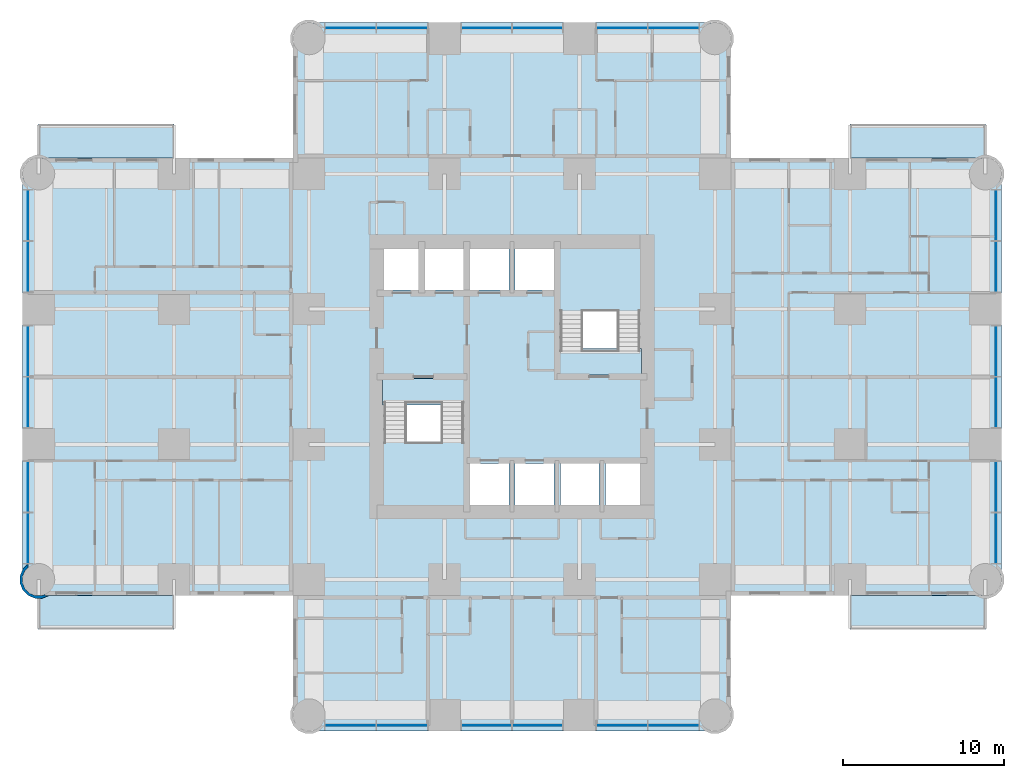
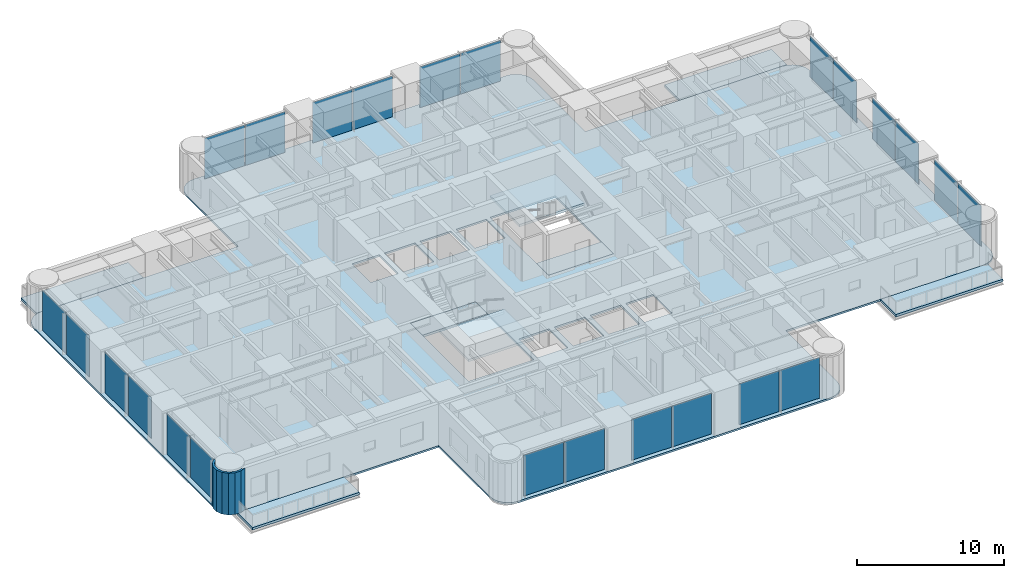
# One storey, part 5 of 14: 24 plates, 9 slabs, 1 wall, 6 elements without a shape of their own.
"""IFC4 building model written with IfcOpenShell, lengths in metres."""

from ifc_helpers import new_model, si_unit, direction, frame, origin, origin_2d, place, context, subcontext, project, spatial, polyline, rectangle, outline, extrude, material, layer, layer_set, type_object, element, aggregate, save


model = new_model("IFC4")

# Units and contexts
model_context = context("Model", 3, precision=1e-05, world=origin(), true_north=direction((0.0, 1.0)))
body_context = subcontext(model_context, "Body", "Model", "MODEL_VIEW")
ifc_project = project(units=[si_unit("LENGTHUNIT", "METRE"), si_unit("AREAUNIT", "SQUARE_METRE"), si_unit("VOLUMEUNIT", "CUBIC_METRE"), si_unit("PLANEANGLEUNIT", "RADIAN"), si_unit("MASSUNIT", "GRAM", prefix="KILO")], contexts=[model_context])

# Site, building, storey
site_placement = place(None, origin())
site = spatial("IfcSite", under=ifc_project, at=site_placement, CompositionType="ELEMENT")
building_placement = place(site_placement, origin())
building = spatial("IfcBuilding", under=site, at=building_placement, Name="Torre Alcanfor", CompositionType="ELEMENT")
storey_placement = place(building_placement, frame((0.0, 0.0, 112.5)))
storey = spatial("IfcBuildingStorey", under=building, at=storey_placement, Name="L28", CompositionType="ELEMENT", Elevation=112.5)

# Slabs
ifc_material_1 = material(Name="Concrete f'c 35 MPa", Category="concrete")
ifc_layer_1 = layer(ifc_material_1, 0.199951171875)
ifc_layer_set_1 = layer_set([ifc_layer_1], Name="Balcony slab 200")
slab_type_1 = type_object("IfcSlabType", Name="Balcony slab 200", PredefinedType="FLOOR", material=ifc_layer_set_1)
slab_1_placement = place(storey_placement, frame((0.0, 0.0, -0.199951171875)))
element("IfcSlab", 1, at=slab_1_placement, inside=storey, type_object=slab_type_1, Name="Balcony L28-E1", PredefinedType="FLOOR", context=body_context, shape_type="SweptSolid", body=[
    extrude(outline(polyline([(50.39990234375, 43.0), (58.800048828125, 43.0), (58.800048828125, 45.10009765625), (50.39990234375, 45.10009765625), (50.39990234375, 43.0)])), origin(), (0.0, 0.0, 1.0), 0.199951171875),
])
slab_2_placement = place(storey_placement, frame((0.0, 0.0, -0.199951171875)))
element("IfcSlab", 2, at=slab_2_placement, inside=storey, type_object=slab_type_1, Name="Balcony L28-E2", PredefinedType="FLOOR", context=body_context, shape_type="SweptSolid", body=[
    extrude(outline(polyline([(50.39990234375, 13.699951171875), (58.800048828125, 13.699951171875), (58.800048828125, 15.800048828125), (50.39990234375, 15.800048828125), (50.39990234375, 13.699951171875)])), origin(), (0.0, 0.0, 1.0), 0.199951171875),
])
slab_3_placement = place(storey_placement, frame((0.0, 0.0, -0.199951171875)))
element("IfcSlab", 3, at=slab_3_placement, inside=storey, type_object=slab_type_1, Name="Balcony L28-W1", PredefinedType="FLOOR", context=body_context, shape_type="SweptSolid", body=[
    extrude(outline(polyline([(8.39990234375, 15.800048828125), (0.0, 15.800048828125), (0.0, 13.699951171875), (8.39990234375, 13.699951171875), (8.39990234375, 15.800048828125)])), origin(), (0.0, 0.0, 1.0), 0.199951171875),
])
slab_4_placement = place(storey_placement, frame((0.0, 0.0, -0.199951171875)))
element("IfcSlab", 4, at=slab_4_placement, inside=storey, type_object=slab_type_1, Name="Balcony L28-W2", PredefinedType="FLOOR", context=body_context, shape_type="SweptSolid", body=[
    extrude(outline(polyline([(8.39990234375, 45.10009765625), (0.0, 45.10009765625), (0.0, 43.0), (8.39990234375, 43.0), (8.39990234375, 45.10009765625)])), origin(), (0.0, 0.0, 1.0), 0.199951171875),
])

# Curtain wall, plates
ifc_material_2 = material(Name="Aluminium and glass", Category="aluminium")
curtain_wall_type = type_object("IfcCurtainWallType", Name="CW-A unitised apartment glazing with vertical FIN", PredefinedType="NOTDEFINED", material=ifc_material_2)
curtain_wall_1_placement = place(storey_placement, origin())
curtain_wall_1 = element("IfcCurtainWall", 5, at=curtain_wall_1_placement, inside=storey, type_object=curtain_wall_type, Name="Curtain wall CW-A L28 2", PredefinedType="NOTDEFINED")
ifc_material_3 = material(Name="Glass", Category="glass")
ifc_layer_2 = layer(ifc_material_3, 0.028076171875)
ifc_layer_set_2 = layer_set([ifc_layer_2], Name="CW-A clear double glazed unit")
plate_type = type_object("IfcPlateType", Name="CW-A clear double glazed unit", PredefinedType="CURTAIN_PANEL", material=ifc_layer_set_2)
plate_1_placement = place(storey_placement, frame((-0.64990234375, 39.428466796875, 0.0), z_axis=(0.0, 0.0, 1.0), x_axis=(0.0, -1.0, 0.0)))
plate_1 = element("IfcPlate", 6, at=plate_1_placement, type_object=plate_type, Name="CW-A panel 1.1.1", PredefinedType="CURTAIN_PANEL", context=body_context, shape_type="SweptSolid", body=[
    extrude(rectangle(XDim=3.12890625, YDim=0.028076171875, at=origin_2d()), origin(), (0.0, 0.0, 1.0), 3.385009765625),
])
plate_2_placement = place(storey_placement, frame((-0.64990234375, 36.234619140625, 0.0), z_axis=(0.0, 0.0, 1.0), x_axis=(0.0, -1.0, 0.0)))
plate_2 = element("IfcPlate", 7, at=plate_2_placement, type_object=plate_type, Name="CW-A panel 1.2.1", PredefinedType="CURTAIN_PANEL", context=body_context, shape_type="SweptSolid", body=[
    extrude(rectangle(XDim=3.12890625, YDim=0.028076171875, at=origin_2d()), origin(), (0.0, 0.0, 1.0), 3.385009765625),
])
plate_3_placement = place(storey_placement, frame((-0.64990234375, 30.981201171875, 0.0), z_axis=(0.0, 0.0, 1.0), x_axis=(0.0, -1.0, 0.0)))
plate_3 = element("IfcPlate", 8, at=plate_3_placement, type_object=plate_type, Name="CW-A panel 2.1.1", PredefinedType="CURTAIN_PANEL", context=body_context, shape_type="SweptSolid", body=[
    extrude(rectangle(XDim=3.097412109375, YDim=0.028076171875, at=origin_2d()), origin(), (0.0, 0.0, 1.0), 3.385009765625),
])
plate_4_placement = place(storey_placement, frame((-0.64990234375, 27.81884765625, 0.0), z_axis=(0.0, 0.0, 1.0), x_axis=(0.0, -1.0, 0.0)))
plate_4 = element("IfcPlate", 9, at=plate_4_placement, type_object=plate_type, Name="CW-A panel 2.2.1", PredefinedType="CURTAIN_PANEL", context=body_context, shape_type="SweptSolid", body=[
    extrude(rectangle(XDim=3.097412109375, YDim=0.028076171875, at=origin_2d()), origin(), (0.0, 0.0, 1.0), 3.385009765625),
])
plate_5_placement = place(storey_placement, frame((-0.64990234375, 22.5654296875, 0.0), z_axis=(0.0, 0.0, 1.0), x_axis=(0.0, -1.0, 0.0)))
plate_5 = element("IfcPlate", 10, at=plate_5_placement, type_object=plate_type, Name="CW-A panel 3.1.1", PredefinedType="CURTAIN_PANEL", context=body_context, shape_type="SweptSolid", body=[
    extrude(rectangle(XDim=3.12890625, YDim=0.028076171875, at=origin_2d()), origin(), (0.0, 0.0, 1.0), 3.385009765625),
])
plate_6_placement = place(storey_placement, frame((-0.64990234375, 19.37158203125, 0.0), z_axis=(0.0, 0.0, 1.0), x_axis=(0.0, -1.0, 0.0)))
plate_6 = element("IfcPlate", 11, at=plate_6_placement, type_object=plate_type, Name="CW-A panel 3.2.1", PredefinedType="CURTAIN_PANEL", context=body_context, shape_type="SweptSolid", body=[
    extrude(rectangle(XDim=3.12890625, YDim=0.028076171875, at=origin_2d()), origin(), (0.0, 0.0, 1.0), 3.385009765625),
])
aggregate(curtain_wall_1, [plate_1, plate_2, plate_3, plate_4, plate_5, plate_6])

curtain_wall_2_placement = place(storey_placement, origin())
curtain_wall_2 = element("IfcCurtainWall", 12, at=curtain_wall_2_placement, inside=storey, type_object=curtain_wall_type, Name="Curtain wall CW-A L28 5", PredefinedType="NOTDEFINED")
plate_7_placement = place(storey_placement, frame((19.37158203125, 7.75, 0.0), z_axis=(0.0, 0.0, 1.0), x_axis=(1.0, 0.0, 0.0)))
plate_7 = element("IfcPlate", 13, at=plate_7_placement, type_object=plate_type, Name="CW-A panel 1.1.1", PredefinedType="CURTAIN_PANEL", context=body_context, shape_type="SweptSolid", body=[
    extrude(rectangle(XDim=3.12890625, YDim=0.028076171875, at=origin_2d()), origin(), (0.0, 0.0, 1.0), 3.385009765625),
])
plate_8_placement = place(storey_placement, frame((22.5654296875, 7.75, 0.0), z_axis=(0.0, 0.0, 1.0), x_axis=(1.0, 0.0, 0.0)))
plate_8 = element("IfcPlate", 14, at=plate_8_placement, type_object=plate_type, Name="CW-A panel 1.2.1", PredefinedType="CURTAIN_PANEL", context=body_context, shape_type="SweptSolid", body=[
    extrude(rectangle(XDim=3.12890625, YDim=0.028076171875, at=origin_2d()), origin(), (0.0, 0.0, 1.0), 3.385009765625),
])
plate_9_placement = place(storey_placement, frame((27.81884765625, 7.75, 0.0), z_axis=(0.0, 0.0, 1.0), x_axis=(1.0, 0.0, 0.0)))
plate_9 = element("IfcPlate", 15, at=plate_9_placement, type_object=plate_type, Name="CW-A panel 2.1.1", PredefinedType="CURTAIN_PANEL", context=body_context, shape_type="SweptSolid", body=[
    extrude(rectangle(XDim=3.097412109375, YDim=0.028076171875, at=origin_2d()), origin(), (0.0, 0.0, 1.0), 3.385009765625),
])
plate_10_placement = place(storey_placement, frame((30.981201171875, 7.75, 0.0), z_axis=(0.0, 0.0, 1.0), x_axis=(1.0, 0.0, 0.0)))
plate_10 = element("IfcPlate", 16, at=plate_10_placement, type_object=plate_type, Name="CW-A panel 2.2.1", PredefinedType="CURTAIN_PANEL", context=body_context, shape_type="SweptSolid", body=[
    extrude(rectangle(XDim=3.097412109375, YDim=0.028076171875, at=origin_2d()), origin(), (0.0, 0.0, 1.0), 3.385009765625),
])
plate_11_placement = place(storey_placement, frame((36.234619140625, 7.75, 0.0), z_axis=(0.0, 0.0, 1.0), x_axis=(1.0, 0.0, 0.0)))
plate_11 = element("IfcPlate", 17, at=plate_11_placement, type_object=plate_type, Name="CW-A panel 3.1.1", PredefinedType="CURTAIN_PANEL", context=body_context, shape_type="SweptSolid", body=[
    extrude(rectangle(XDim=3.12890625, YDim=0.028076171875, at=origin_2d()), origin(), (0.0, 0.0, 1.0), 3.385009765625),
])
plate_12_placement = place(storey_placement, frame((39.428466796875, 7.75, 0.0), z_axis=(0.0, 0.0, 1.0), x_axis=(1.0, 0.0, 0.0)))
plate_12 = element("IfcPlate", 18, at=plate_12_placement, type_object=plate_type, Name="CW-A panel 3.2.1", PredefinedType="CURTAIN_PANEL", context=body_context, shape_type="SweptSolid", body=[
    extrude(rectangle(XDim=3.12890625, YDim=0.028076171875, at=origin_2d()), origin(), (0.0, 0.0, 1.0), 3.385009765625),
])
aggregate(curtain_wall_2, [plate_7, plate_8, plate_9, plate_10, plate_11, plate_12])

curtain_wall_3_placement = place(storey_placement, origin())
curtain_wall_3 = element("IfcCurtainWall", 19, at=curtain_wall_3_placement, inside=storey, type_object=curtain_wall_type, Name="Curtain wall CW-A L28 8", PredefinedType="NOTDEFINED")
plate_13_placement = place(storey_placement, frame((59.449951171875, 19.37158203125, 0.0), z_axis=(0.0, 0.0, 1.0), x_axis=(0.0, 1.0, 0.0)))
plate_13 = element("IfcPlate", 20, at=plate_13_placement, type_object=plate_type, Name="CW-A panel 1.1.1", PredefinedType="CURTAIN_PANEL", context=body_context, shape_type="SweptSolid", body=[
    extrude(rectangle(XDim=3.12890625, YDim=0.028076171875, at=origin_2d()), origin(), (0.0, 0.0, 1.0), 3.385009765625),
])
plate_14_placement = place(storey_placement, frame((59.449951171875, 22.5654296875, 0.0), z_axis=(0.0, 0.0, 1.0), x_axis=(0.0, 1.0, 0.0)))
plate_14 = element("IfcPlate", 21, at=plate_14_placement, type_object=plate_type, Name="CW-A panel 1.2.1", PredefinedType="CURTAIN_PANEL", context=body_context, shape_type="SweptSolid", body=[
    extrude(rectangle(XDim=3.12890625, YDim=0.028076171875, at=origin_2d()), origin(), (0.0, 0.0, 1.0), 3.385009765625),
])
plate_15_placement = place(storey_placement, frame((59.449951171875, 27.81884765625, 0.0), z_axis=(0.0, 0.0, 1.0), x_axis=(0.0, 1.0, 0.0)))
plate_15 = element("IfcPlate", 22, at=plate_15_placement, type_object=plate_type, Name="CW-A panel 2.1.1", PredefinedType="CURTAIN_PANEL", context=body_context, shape_type="SweptSolid", body=[
    extrude(rectangle(XDim=3.097412109375, YDim=0.028076171875, at=origin_2d()), origin(), (0.0, 0.0, 1.0), 3.385009765625),
])
plate_16_placement = place(storey_placement, frame((59.449951171875, 30.981201171875, 0.0), z_axis=(0.0, 0.0, 1.0), x_axis=(0.0, 1.0, 0.0)))
plate_16 = element("IfcPlate", 23, at=plate_16_placement, type_object=plate_type, Name="CW-A panel 2.2.1", PredefinedType="CURTAIN_PANEL", context=body_context, shape_type="SweptSolid", body=[
    extrude(rectangle(XDim=3.097412109375, YDim=0.028076171875, at=origin_2d()), origin(), (0.0, 0.0, 1.0), 3.385009765625),
])
plate_17_placement = place(storey_placement, frame((59.449951171875, 36.234619140625, 0.0), z_axis=(0.0, 0.0, 1.0), x_axis=(0.0, 1.0, 0.0)))
plate_17 = element("IfcPlate", 24, at=plate_17_placement, type_object=plate_type, Name="CW-A panel 3.1.1", PredefinedType="CURTAIN_PANEL", context=body_context, shape_type="SweptSolid", body=[
    extrude(rectangle(XDim=3.12890625, YDim=0.028076171875, at=origin_2d()), origin(), (0.0, 0.0, 1.0), 3.385009765625),
])
plate_18_placement = place(storey_placement, frame((59.449951171875, 39.428466796875, 0.0), z_axis=(0.0, 0.0, 1.0), x_axis=(0.0, 1.0, 0.0)))
plate_18 = element("IfcPlate", 25, at=plate_18_placement, type_object=plate_type, Name="CW-A panel 3.2.1", PredefinedType="CURTAIN_PANEL", context=body_context, shape_type="SweptSolid", body=[
    extrude(rectangle(XDim=3.12890625, YDim=0.028076171875, at=origin_2d()), origin(), (0.0, 0.0, 1.0), 3.385009765625),
])
aggregate(curtain_wall_3, [plate_13, plate_14, plate_15, plate_16, plate_17, plate_18])

curtain_wall_4_placement = place(storey_placement, origin())
curtain_wall_4 = element("IfcCurtainWall", 26, at=curtain_wall_4_placement, inside=storey, type_object=curtain_wall_type, Name="Curtain wall CW-A L28 11", PredefinedType="NOTDEFINED")
plate_19_placement = place(storey_placement, frame((39.428466796875, 51.050048828125, 0.0), z_axis=(0.0, 0.0, 1.0), x_axis=(-1.0, 0.0, 0.0)))
plate_19 = element("IfcPlate", 27, at=plate_19_placement, type_object=plate_type, Name="CW-A panel 1.1.1", PredefinedType="CURTAIN_PANEL", context=body_context, shape_type="SweptSolid", body=[
    extrude(rectangle(XDim=3.12890625, YDim=0.028076171875, at=origin_2d()), origin(), (0.0, 0.0, 1.0), 3.385009765625),
])
plate_20_placement = place(storey_placement, frame((36.234619140625, 51.050048828125, 0.0), z_axis=(0.0, 0.0, 1.0), x_axis=(-1.0, 0.0, 0.0)))
plate_20 = element("IfcPlate", 28, at=plate_20_placement, type_object=plate_type, Name="CW-A panel 1.2.1", PredefinedType="CURTAIN_PANEL", context=body_context, shape_type="SweptSolid", body=[
    extrude(rectangle(XDim=3.12890625, YDim=0.028076171875, at=origin_2d()), origin(), (0.0, 0.0, 1.0), 3.385009765625),
])
plate_21_placement = place(storey_placement, frame((30.981201171875, 51.050048828125, 0.0), z_axis=(0.0, 0.0, 1.0), x_axis=(-1.0, 0.0, 0.0)))
plate_21 = element("IfcPlate", 29, at=plate_21_placement, type_object=plate_type, Name="CW-A panel 2.1.1", PredefinedType="CURTAIN_PANEL", context=body_context, shape_type="SweptSolid", body=[
    extrude(rectangle(XDim=3.097412109375, YDim=0.028076171875, at=origin_2d()), origin(), (0.0, 0.0, 1.0), 3.385009765625),
])
plate_22_placement = place(storey_placement, frame((27.81884765625, 51.050048828125, 0.0), z_axis=(0.0, 0.0, 1.0), x_axis=(-1.0, 0.0, 0.0)))
plate_22 = element("IfcPlate", 30, at=plate_22_placement, type_object=plate_type, Name="CW-A panel 2.2.1", PredefinedType="CURTAIN_PANEL", context=body_context, shape_type="SweptSolid", body=[
    extrude(rectangle(XDim=3.097412109375, YDim=0.028076171875, at=origin_2d()), origin(), (0.0, 0.0, 1.0), 3.385009765625),
])
plate_23_placement = place(storey_placement, frame((22.5654296875, 51.050048828125, 0.0), z_axis=(0.0, 0.0, 1.0), x_axis=(-1.0, 0.0, 0.0)))
plate_23 = element("IfcPlate", 31, at=plate_23_placement, type_object=plate_type, Name="CW-A panel 3.1.1", PredefinedType="CURTAIN_PANEL", context=body_context, shape_type="SweptSolid", body=[
    extrude(rectangle(XDim=3.12890625, YDim=0.028076171875, at=origin_2d()), origin(), (0.0, 0.0, 1.0), 3.385009765625),
])
plate_24_placement = place(storey_placement, frame((19.37158203125, 51.050048828125, 0.0), z_axis=(0.0, 0.0, 1.0), x_axis=(-1.0, 0.0, 0.0)))
plate_24 = element("IfcPlate", 32, at=plate_24_placement, type_object=plate_type, Name="CW-A panel 3.2.1", PredefinedType="CURTAIN_PANEL", context=body_context, shape_type="SweptSolid", body=[
    extrude(rectangle(XDim=3.12890625, YDim=0.028076171875, at=origin_2d()), origin(), (0.0, 0.0, 1.0), 3.385009765625),
])
aggregate(curtain_wall_4, [plate_19, plate_20, plate_21, plate_22, plate_23, plate_24])

# Slab
ifc_material_4 = material(Name="Concrete f'c 35 MPa", Category="concrete")
ifc_layer_3 = layer(ifc_material_4, 0.14990234375)
ifc_layer_set_3 = layer_set([ifc_layer_3], Name="Composite floor 150 on metal deck")
slab_type_2 = type_object("IfcSlabType", Name="Composite floor 150 on metal deck", PredefinedType="FLOOR", material=ifc_layer_set_3)
slab_5_placement = place(storey_placement, frame((0.0, 0.0, -0.14990234375)))
element("IfcSlab", 33, at=slab_5_placement, inside=storey, type_object=slab_type_2, Name="Floor slab L28", PredefinedType="FLOOR", context=body_context, shape_type="SweptSolid", body=[
    extrude(outline(polyline([(15.800048828125, 43.0), (0.39990234375, 43.0), (0.03759765625, 42.952392578125), (-0.300048828125, 42.8125), (-0.58984375, 42.58984375), (-0.8125, 42.300048828125), (-0.952392578125, 41.96240234375), (-1.0, 41.60009765625), (-1.0, 17.199951171875), (-0.952392578125, 16.837646484375), (-0.8125, 16.5), (-0.58984375, 16.210205078125), (-0.300048828125, 15.987548828125), (0.03759765625, 15.84765625), (0.39990234375, 15.800048828125), (15.800048828125, 15.800048828125), (15.800048828125, 8.800048828125), (15.84765625, 8.437744140625), (15.987548828125, 8.10009765625), (16.210205078125, 7.81005859375), (16.5, 7.587646484375), (16.837646484375, 7.44775390625), (17.199951171875, 7.39990234375), (41.60009765625, 7.39990234375), (41.96240234375, 7.44775390625), (42.300048828125, 7.587646484375), (42.58984375, 7.81005859375), (42.8125, 8.10009765625), (42.952392578125, 8.437744140625), (43.0, 8.800048828125), (43.0, 15.800048828125), (58.39990234375, 15.800048828125), (58.76220703125, 15.84765625), (59.10009765625, 15.987548828125), (59.389892578125, 16.210205078125), (59.6123046875, 16.5), (59.752197265625, 16.837646484375), (59.800048828125, 17.199951171875), (59.800048828125, 41.60009765625), (59.752197265625, 41.96240234375), (59.6123046875, 42.300048828125), (59.389892578125, 42.58984375), (59.10009765625, 42.8125), (58.76220703125, 42.952392578125), (58.39990234375, 43.0), (43.0, 43.0), (43.0, 50.0), (42.952392578125, 50.3623046875), (42.8125, 50.699951171875), (42.58984375, 50.989990234375), (42.300048828125, 51.21240234375), (41.96240234375, 51.352294921875), (41.60009765625, 51.39990234375), (17.199951171875, 51.39990234375), (16.837646484375, 51.352294921875), (16.5, 51.21240234375), (16.210205078125, 50.989990234375), (15.987548828125, 50.699951171875), (15.84765625, 50.3623046875), (15.800048828125, 50.0), (15.800048828125, 43.0)]), holes=[polyline([(21.3701171875, 21.3701171875), (26.47998046875, 21.3701171875), (26.47998046875, 29.280029296875), (21.3701171875, 29.280029296875), (21.3701171875, 21.3701171875)]), polyline([(32.320068359375, 29.52001953125), (37.429931640625, 29.52001953125), (37.429931640625, 37.429931640625), (32.320068359375, 37.429931640625), (32.320068359375, 29.52001953125)]), polyline([(26.800048828125, 21.449951171875), (29.199951171875, 21.449951171875), (29.199951171875, 24.0), (26.800048828125, 24.0), (26.800048828125, 21.449951171875)]), polyline([(29.60009765625, 21.449951171875), (32.0, 21.449951171875), (32.0, 24.0), (29.60009765625, 24.0), (29.60009765625, 21.449951171875)]), polyline([(32.39990234375, 21.449951171875), (34.800048828125, 21.449951171875), (34.800048828125, 24.0), (32.39990234375, 24.0), (32.39990234375, 21.449951171875)]), polyline([(35.199951171875, 21.449951171875), (37.35009765625, 21.449951171875), (37.35009765625, 24.0), (35.199951171875, 24.0), (35.199951171875, 21.449951171875)]), polyline([(21.449951171875, 34.800048828125), (23.60009765625, 34.800048828125), (23.60009765625, 37.35009765625), (21.449951171875, 37.35009765625), (21.449951171875, 34.800048828125)]), polyline([(24.0, 34.800048828125), (26.39990234375, 34.800048828125), (26.39990234375, 37.35009765625), (24.0, 37.35009765625), (24.0, 34.800048828125)]), polyline([(26.800048828125, 34.800048828125), (29.199951171875, 34.800048828125), (29.199951171875, 37.35009765625), (26.800048828125, 37.35009765625), (26.800048828125, 34.800048828125)]), polyline([(29.60009765625, 34.800048828125), (32.0, 34.800048828125), (32.0, 37.35009765625), (29.60009765625, 37.35009765625), (29.60009765625, 34.800048828125)])]), origin(), (0.0, 0.0, 1.0), 0.14990234375),
])

# Stair, slabs
ifc_material_5 = material(Name="Concrete f'c 35 MPa", Category="concrete")
stair_type_1 = type_object("IfcStairType", Name="Exit stair S1 1400 wide", PredefinedType="HALF_TURN_STAIR", material=ifc_material_5)
stair_1_placement = place(storey_placement, origin())
stair_1 = element("IfcStair", 34, at=stair_1_placement, inside=storey, type_object=stair_type_1, Name="Stair S1 L28 to L29", PredefinedType="HALF_TURN_STAIR")
ifc_material_6 = material(Name="Concrete f'c 35 MPa", Category="concrete")
ifc_layer_4 = layer(ifc_material_6, 0.199951171875)
ifc_layer_set_4 = layer_set([ifc_layer_4], Name="Stair landing 200")
slab_type_3 = type_object("IfcSlabType", Name="Stair landing 200", PredefinedType="LANDING", material=ifc_layer_set_4)
slab_6_placement = place(storey_placement, frame((0.0, 0.0, -0.199951171875)))
slab_6 = element("IfcSlab", 35, at=slab_6_placement, type_object=slab_type_3, Name="S1 landing 1", PredefinedType="LANDING", context=body_context, shape_type="SweptSolid", body=[
    extrude(outline(polyline([(21.3701171875, 27.64990234375), (26.47998046875, 27.64990234375), (26.47998046875, 29.280029296875), (21.3701171875, 29.280029296875), (21.3701171875, 27.64990234375)])), origin(), (0.0, 0.0, 1.0), 0.199951171875),
])
slab_7_placement = place(storey_placement, frame((0.0, 0.0, 1.60009765625)))
slab_7 = element("IfcSlab", 36, at=slab_7_placement, type_object=slab_type_3, Name="S1 landing 2", PredefinedType="LANDING", context=body_context, shape_type="SweptSolid", body=[
    extrude(outline(polyline([(21.3701171875, 21.3701171875), (26.47998046875, 21.3701171875), (26.47998046875, 25.330078125), (21.3701171875, 25.330078125), (21.3701171875, 21.3701171875)])), origin(), (0.0, 0.0, 1.0), 0.199951171875),
])
aggregate(stair_1, [slab_6, slab_7])

ifc_material_7 = material(Name="Concrete f'c 35 MPa", Category="concrete")
stair_type_2 = type_object("IfcStairType", Name="Exit stair S2 1400 wide", PredefinedType="HALF_TURN_STAIR", material=ifc_material_7)
stair_2_placement = place(storey_placement, origin())
stair_2 = element("IfcStair", 37, at=stair_2_placement, inside=storey, type_object=stair_type_2, Name="Stair S2 L28 to L29", PredefinedType="HALF_TURN_STAIR")
slab_8_placement = place(storey_placement, frame((0.0, 0.0, -0.199951171875)))
slab_8 = element("IfcSlab", 38, at=slab_8_placement, type_object=slab_type_3, Name="S2 landing 1", PredefinedType="LANDING", context=body_context, shape_type="SweptSolid", body=[
    extrude(outline(polyline([(32.320068359375, 29.52001953125), (37.429931640625, 29.52001953125), (37.429931640625, 31.14990234375), (32.320068359375, 31.14990234375), (32.320068359375, 29.52001953125)])), origin(), (0.0, 0.0, 1.0), 0.199951171875),
])
slab_9_placement = place(storey_placement, frame((0.0, 0.0, 1.60009765625)))
slab_9 = element("IfcSlab", 39, at=slab_9_placement, type_object=slab_type_3, Name="S2 landing 2", PredefinedType="LANDING", context=body_context, shape_type="SweptSolid", body=[
    extrude(outline(polyline([(32.320068359375, 33.469970703125), (37.429931640625, 33.469970703125), (37.429931640625, 37.429931640625), (32.320068359375, 37.429931640625), (32.320068359375, 33.469970703125)])), origin(), (0.0, 0.0, 1.0), 0.199951171875),
])
aggregate(stair_2, [slab_8, slab_9])

# Wall
ifc_material_8 = material(Name="Limestone cladding", Category="masonry")
ifc_layer_5 = layer(ifc_material_8, 0.0400390625, Name="Facing")
ifc_material_9 = material(Name="Ventilated air cavity")
ifc_layer_6 = layer(ifc_material_9, 0.02001953125, ventilated=True, Name="Ventilated joint")
ifc_material_10 = material(Name="Mineral wool insulation", Category="insulation")
ifc_layer_7 = layer(ifc_material_10, 0.10009765625, Name="Insulation")
ifc_material_11 = material(Name="Concrete f'c 35 MPa", Category="concrete")
ifc_layer_8 = layer(ifc_material_11, 0.139892578125, Name="Backing")
ifc_layer_set_5 = layer_set([ifc_layer_5, ifc_layer_6, ifc_layer_7, ifc_layer_8], Name="Rounded corner pier stone-clad 300")
wall_type = type_object("IfcWallType", Name="Rounded corner pier stone-clad 300", PredefinedType="SOLIDWALL", material=ifc_layer_set_5)
wall_placement = place(storey_placement, frame((-0.643275148, 17.667523535, 0.0), z_axis=(0.0, 0.0, 1.0), x_axis=(-0.831199417842, -0.555974394895, 0.0)))
element("IfcWall", 40, at=wall_placement, inside=storey, type_object=wall_type, Name="Corner pier L28 14", PredefinedType="SOLIDWALL", context=body_context, shape_type="SweptSolid", body=[
    extrude(outline(polyline([(0.1711795962868794, 2.1322238639333237), (0.11331991434814137, 2.066360534784921), (0.3385306263274189, 2.0214606425143806), (0.6697116443740095, 1.7999395945485634), (0.8906243154815436, 1.4688932382387638), (0.9683014763401089, 1.0782762019885972), (0.890375456717919, 0.687762152891243), (0.6689901446883555, 0.356784064390024), (0.33780805244230216, 0.13566846373711833), (0.06213435039934877, 0.08097286591496783), (-0.035866995575724744, -0.06554226584338904), (0.004515983953240654, -0.09255371715784835), (0.3997386010099072, -0.014138775317001168), (0.7834516070123592, 0.2420391289906345), (1.039992526531596, 0.6255759697431199), (1.1304051458628446, 1.0782309674187813), (1.040431554535663, 1.5308237868063688), (0.7843893861642811, 1.9147397223541924), (0.4008525454117956, 2.1712806418734294), (-0.009224769548548784, 2.2528931112627424), (0.1711795962868794, 2.1322238639333237)])), origin(), (0.0, 0.0, 1.0), 3.449951171875),
])

save(model, "model.ifc")
